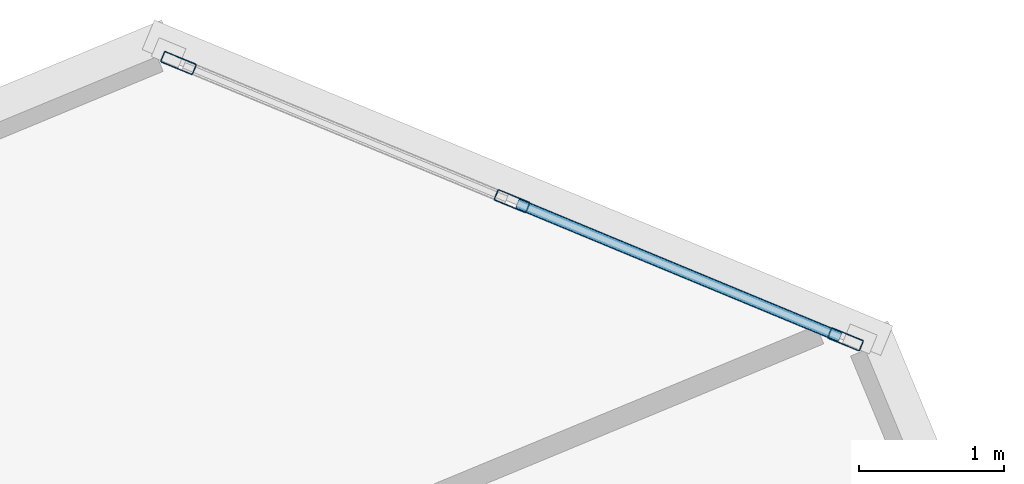
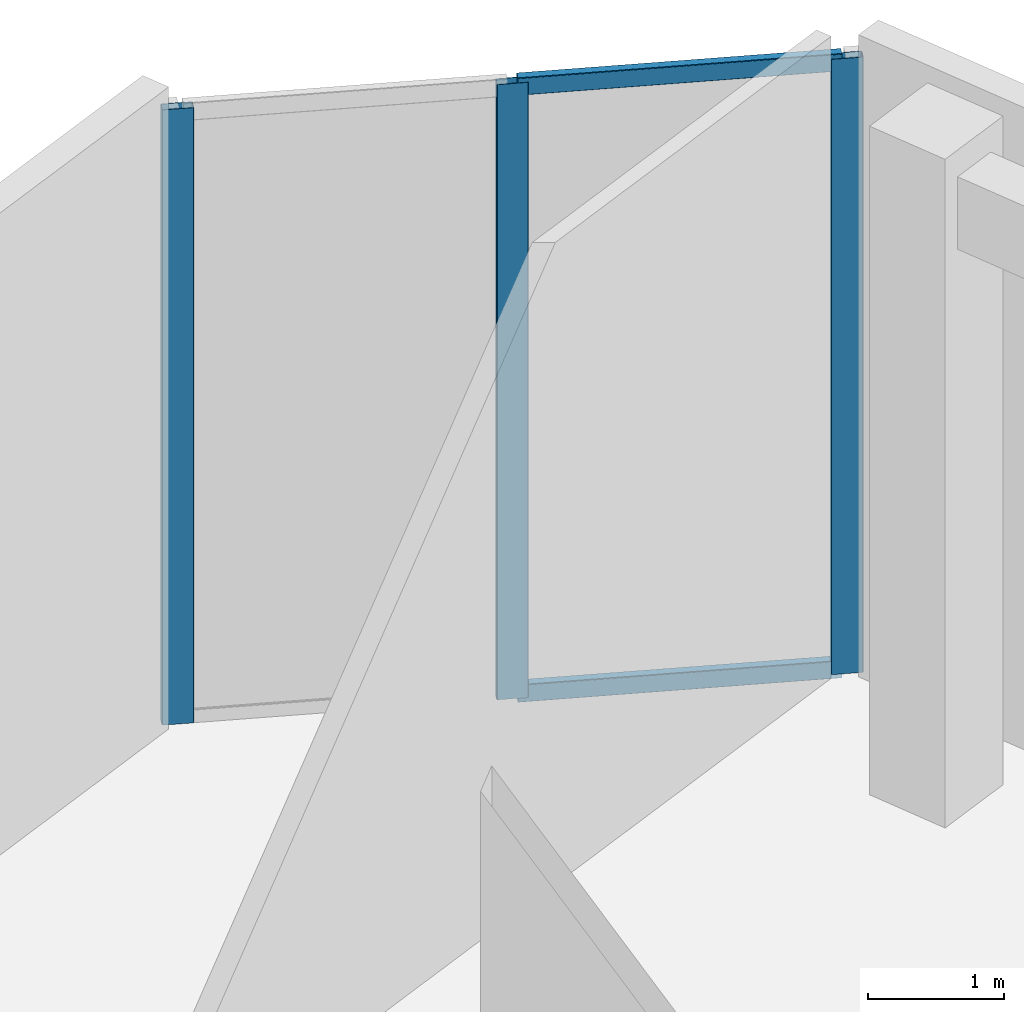
# One storey, part 6 of 16: 5 members, 1 element without a shape of its own.
"""IFC4 building model written with IfcOpenShell, lengths in metres."""

import ifcopenshell
import ifcopenshell.guid

model = None  # the IFC model being written
_history = None  # IfcOwnerHistory: only IFC2X3 demands one
_inside = {}  # id of a spatial element -> (the spatial element, [elements in it])
_under = {}  # id of a project, library or spatial element -> (it, [spatial elements below it])
_declared = {}  # id of a project -> (the project, [libraries it declares])
_typed = {}  # id of a type object -> (the type object, [elements of that type])
_made_of = {}  # id of a material, layer set ... -> (it, [elements and type objects made of it])


def new_model(schema):
    """Start an empty IFC model of exactly this schema.

    Asked for "IFC4X3", IfcOpenShell would pick the latest addendum, in which some entities
    have other attributes; the version numbers below select the first issue.
    IFC2X3 requires an IfcOwnerHistory on every rooted entity: one is made here for all.
    """
    global model, _history
    if schema == "IFC4X3":
        model = ifcopenshell.file(schema_version=(4, 3, 0, 0))
    else:
        model = ifcopenshell.file(schema=schema)
    _inside.clear()
    _under.clear()
    _declared.clear()
    _typed.clear()
    _made_of.clear()
    _history = None
    if model.schema == "IFC2X3":
        org = make("IfcOrganization", Name="unknown")
        user = make(
            "IfcPersonAndOrganization",
            ThePerson=make("IfcPerson", FamilyName="unknown"),
            TheOrganization=org,
        )
        app = make(
            "IfcApplication",
            ApplicationDeveloper=org,
            Version="unknown",
            ApplicationFullName="unknown",
            ApplicationIdentifier="unknown",
        )
        _history = make(
            "IfcOwnerHistory",
            OwningUser=user,
            OwningApplication=app,
            ChangeAction="ADDED",
            CreationDate=0,
        )
    return model


def make(cls, **values):
    """One entity of the class cls with the attributes given. An attribute that is None is left unset."""
    return model.create_entity(
        cls, **{name: value for name, value in values.items() if value is not None}
    )


def rooted(cls, **values):
    """An entity with a GlobalId (a new one), such as an element, a storey or a relation."""
    return make(cls, GlobalId=ifcopenshell.guid.new(), OwnerHistory=_history, **values)


def si_unit(unit_type, name, prefix=None):
    """IfcSIUnit, for example si_unit("LENGTHUNIT", "METRE", prefix="MILLI")."""
    return make("IfcSIUnit", UnitType=unit_type, Prefix=prefix, Name=name)


def assignment(units):
    """IfcUnitAssignment: the units of a project."""
    return None if units is None else make("IfcUnitAssignment", Units=units)


def point(xyz):
    """IfcCartesianPoint."""
    return None if xyz is None else make("IfcCartesianPoint", Coordinates=xyz)


def direction(xyz):
    """IfcDirection."""
    return None if xyz is None else make("IfcDirection", DirectionRatios=xyz)


def frame(location, z_axis=None, x_axis=None):
    """IfcAxis2Placement3D, a coordinate frame: its origin and axes. An axis left out is left unset."""
    return make(
        "IfcAxis2Placement3D",
        Location=point(location),
        Axis=direction(z_axis),
        RefDirection=direction(x_axis),
    )


def frame_2d(location, x_axis=None):
    """IfcAxis2Placement2D, a coordinate frame in the plane: its origin and x axis."""
    return make(
        "IfcAxis2Placement2D", Location=point(location), RefDirection=direction(x_axis)
    )


def origin():
    """The frame at (0, 0, 0) with its axes left unset."""
    return frame((0.0, 0.0, 0.0))


def origin_2d():
    """The frame at (0, 0) in the plane with its x axis left unset."""
    return frame_2d((0.0, 0.0))


def place(relative_to, where):
    """IfcLocalPlacement: puts the frame where relative to a parent placement (None: the world)."""
    return make(
        "IfcLocalPlacement", PlacementRelTo=relative_to, RelativePlacement=where
    )


def context(
    kind, dimensions, precision=None, world=None, true_north=None, identifier=None
):
    """IfcGeometricRepresentationContext, for example the 3D "Model" context."""
    return make(
        "IfcGeometricRepresentationContext",
        ContextIdentifier=identifier,
        ContextType=kind,
        CoordinateSpaceDimension=dimensions,
        Precision=precision,
        WorldCoordinateSystem=world,
        TrueNorth=true_north,
    )


def subcontext(parent, identifier, kind, view, scale=None):
    """IfcGeometricRepresentationSubContext, for example "Body" below "Model"."""
    return make(
        "IfcGeometricRepresentationSubContext",
        ContextIdentifier=identifier,
        ContextType=kind,
        ParentContext=parent,
        TargetScale=scale,
        TargetView=view,
    )


def project(units=None, contexts=None):
    """IfcProject with its units and contexts."""
    return rooted(
        "IfcProject",
        Name="project",
        RepresentationContexts=contexts,
        UnitsInContext=assignment(units),
    )


def spatial(cls, under=None, at=None, **own):
    """A site, building, storey or space (cls), placed at a placement, below another one or the project."""
    s = rooted(cls, ObjectPlacement=at, **own)
    if under is not None:
        _under.setdefault(under.id(), (under, []))[1].append(s)
    return s


def profile(cls, at=None, kind="AREA", **sizes):
    """A parametric profile (cls). Its sizes go by their IFC names, for example OverallWidth=200.0."""
    return make(cls, ProfileType=kind, Position=at, **sizes)


def hollow_rectangle(**sizes):
    """IfcRectangleHollowProfileDef."""
    return profile("IfcRectangleHollowProfileDef", **sizes)


def extrude(swept, where, along, depth):
    """IfcExtrudedAreaSolid: the profile swept, set in the frame where, extruded along a direction by depth."""
    return make(
        "IfcExtrudedAreaSolid",
        SweptArea=swept,
        Position=where,
        ExtrudedDirection=direction(along),
        Depth=depth,
    )


def shape(context_of_items, identifier, shape_type, items):
    """IfcShapeRepresentation: the items that make up one representation, for example the "Body"."""
    return make(
        "IfcShapeRepresentation",
        ContextOfItems=context_of_items,
        RepresentationIdentifier=identifier,
        RepresentationType=shape_type,
        Items=items,
    )


def source(mapping_origin, context_of_items, identifier, shape_type, items):
    """IfcRepresentationMap: a shape defined once, which mapped items show again and again."""
    return make(
        "IfcRepresentationMap",
        MappingOrigin=mapping_origin,
        MappedRepresentation=shape(context_of_items, identifier, shape_type, items),
    )


def transform(
    local_origin,
    x_axis=None,
    y_axis=None,
    z_axis=None,
    scale=None,
    scale2=None,
    scale3=None,
    uniform=True,
):
    """IfcCartesianTransformationOperator3D, or its non-uniform kind. x_axis, y_axis, z_axis: its Axis1, 2, 3."""
    if uniform:
        return make(
            "IfcCartesianTransformationOperator3D",
            Axis1=direction(x_axis),
            Axis2=direction(y_axis),
            LocalOrigin=point(local_origin),
            Scale=scale,
            Axis3=direction(z_axis),
        )
    return make(
        "IfcCartesianTransformationOperator3DnonUniform",
        Axis1=direction(x_axis),
        Axis2=direction(y_axis),
        LocalOrigin=point(local_origin),
        Scale=scale,
        Axis3=direction(z_axis),
        Scale2=scale2,
        Scale3=scale3,
    )


def mapped(mapping_source, mapping_target):
    """IfcMappedItem: shows the shape of a source again, moved by a transform."""
    return make(
        "IfcMappedItem", MappingSource=mapping_source, MappingTarget=mapping_target
    )


def material(Name=None, Category=None):
    """IfcMaterial."""
    return make("IfcMaterial", Name=Name, Category=Category)


def material_profile(
    of_material, cross_section, Name=None, Category=None, Priority=None
):
    """IfcMaterialProfile: a cross section and its material."""
    return make(
        "IfcMaterialProfile",
        Name=Name,
        Material=of_material,
        Profile=cross_section,
        Priority=Priority,
        Category=Category,
    )


def profile_set(profiles, Name=None, composite=None):
    """IfcMaterialProfileSet."""
    return make(
        "IfcMaterialProfileSet",
        Name=Name,
        MaterialProfiles=profiles,
        CompositeProfile=composite,
    )


def made_of(thing, what):
    """Note that an element or type object is made of a material, layer set ...; save() writes the relation."""
    if what is not None:
        _made_of.setdefault(what.id(), (what, []))[1].append(thing)
    return thing


def type_object(cls, material=None, **own):
    """A type object (cls), such as IfcWallType, which elements share."""
    return made_of(rooted(cls, **own), material)


def element(
    cls,
    number,
    at=None,
    inside=None,
    cuts=None,
    type_object=None,
    material=None,
    context=None,
    identifier="Body",
    shape_type=None,
    held_by="IfcProductDefinitionShape",
    body=None,
    shapes=None,
    **own,
):
    """One element of the class cls, such as IfcWall. Its Tag is "e" and its number.

    at: its placement. inside: the storey or other place that contains it. cuts: it is an
    opening in that element (IfcRelVoidsElement). A single representation is given by context,
    identifier, shape_type and body (its items); several are given by shapes. held_by: the class
    of the entity that holds the representations. save() writes the other relations.
    """
    e = rooted(cls, Tag="e%d" % number, ObjectPlacement=at, **own)
    if body is not None:
        shapes = [shape(context, identifier, shape_type, body)]
    if shapes is not None:
        e.Representation = make(held_by, Representations=shapes)
    if inside is not None:
        _inside.setdefault(inside.id(), (inside, []))[1].append(e)
    if cuts is not None:
        rooted(
            "IfcRelVoidsElement", RelatingBuildingElement=cuts, RelatedOpeningElement=e
        )
    if type_object is not None:
        _typed.setdefault(type_object.id(), (type_object, []))[1].append(e)
    return made_of(e, material)


def aggregate(whole, parts):
    """IfcRelAggregates: a whole, such as a stair, and the parts it consists of."""
    return rooted("IfcRelAggregates", RelatingObject=whole, RelatedObjects=parts)


def save(model, path):
    """Write the relations noted so far, then the file.

    IfcRelAggregates (storeys below a building ...), IfcRelContainedInSpatialStructure (elements
    in a storey), IfcRelDefinesByType, IfcRelAssociatesMaterial and IfcRelDeclares: one each for
    every whole, place, type object, material and project.
    """
    for whole, parts in _under.values():
        aggregate(whole, parts)
    for where, things in _inside.values():
        rooted(
            "IfcRelContainedInSpatialStructure",
            RelatedElements=things,
            RelatingStructure=where,
        )
    for kind, things in _typed.values():
        rooted("IfcRelDefinesByType", RelatedObjects=things, RelatingType=kind)
    for what, things in _made_of.values():
        rooted("IfcRelAssociatesMaterial", RelatedObjects=things, RelatingMaterial=what)
    for by, libraries in _declared.values():
        rooted("IfcRelDeclares", RelatingContext=by, RelatedDefinitions=libraries)
    model.write(path)


model = new_model("IFC4")

# Units and contexts
model_context = context("Model", 3, precision=1e-05, world=origin(), true_north=direction((0.0, 1.0)))
body_context = subcontext(model_context, "Body", "Model", "MODEL_VIEW")
ifc_project = project(units=[si_unit("LENGTHUNIT", "METRE"), si_unit("AREAUNIT", "SQUARE_METRE"), si_unit("VOLUMEUNIT", "CUBIC_METRE"), si_unit("PLANEANGLEUNIT", "RADIAN"), si_unit("MASSUNIT", "GRAM", prefix="KILO")], contexts=[model_context])

# Site, building, storey
site_placement = place(None, origin())
site = spatial("IfcSite", under=ifc_project, at=site_placement, CompositionType="ELEMENT")
building_placement = place(site_placement, origin())
building = spatial("IfcBuilding", under=site, at=building_placement, Name="Torre Montelarca", CompositionType="ELEMENT")
storey_placement = place(building_placement, frame((0.0, 0.0, 349.199951171875)))
storey = spatial("IfcBuildingStorey", under=building, at=storey_placement, Name="L79", CompositionType="ELEMENT", Elevation=349.199951171875)

# Curtain wall, members
ifc_material_1 = material(Name="Amber translucent laminated glass", Category="glass")
curtain_wall_type = type_object("IfcCurtainWallType", Name="CW-SYS-LANT", PredefinedType="USERDEFINED", material=ifc_material_1)
curtain_wall_placement = place(storey_placement, origin())
curtain_wall = element("IfcCurtainWall", 1, at=curtain_wall_placement, inside=storey, type_object=curtain_wall_type, Name="L79 Curtain Wall Run CW-T3-L79-E09-B1", ObjectType="TRANSLUCENT LANTERN", PredefinedType="USERDEFINED")
ifc_material_2 = material(Name="Anodised aluminium AA 6063-T6", Category="aluminium")
ifc_material_profile_1 = material_profile(ifc_material_2, hollow_rectangle(XDim=0.080078125, YDim=0.239990234375, WallThickness=0.0048828125, InnerFilletRadius=0.0048828125, OuterFilletRadius=0.010009765625, at=origin_2d()), Name="ALU80X240X5", Category="aluminium")
ifc_profile_set_1 = profile_set([ifc_material_profile_1], Name="Anodised aluminium AA 6063-T6")
member_type_1 = type_object("IfcMemberType", Name="CWM-ALU240", PredefinedType="MULLION", material=ifc_profile_set_1)
shared_shape_1 = source(origin(), body_context, "Body", "SweptSolid", [
    extrude(hollow_rectangle(XDim=0.080078125, YDim=0.239990234375, WallThickness=0.0048828125, InnerFilletRadius=0.0048828125, OuterFilletRadius=0.010009765625, at=origin_2d()), origin(), (0.0, 0.0, 1.0), 5.52001953125),
])
member_1_placement = place(storey_placement, frame((30.907470703125, 51.0, 0.0), z_axis=(0.0, 0.0, 1.0), x_axis=(-0.382671166306, -0.923884613184, 0.0)))
member_1 = element("IfcMember", 2, at=member_1_placement, type_object=member_type_1, Name="CW mullion 1", PredefinedType="MULLION", context=body_context, shape_type="MappedRepresentation", body=[
    mapped(shared_shape_1, transform((0.0, 0.0, 0.0), scale=1.0)),
])
member_2_placement = place(storey_placement, frame((28.615234375, 51.949462890625, 0.0), z_axis=(0.0, 0.0, 1.0), x_axis=(-0.382671166306, -0.923884613184, 0.0)))
member_2 = element("IfcMember", 3, at=member_2_placement, type_object=member_type_1, Name="CW mullion 2", PredefinedType="MULLION", context=body_context, shape_type="MappedRepresentation", body=[
    mapped(shared_shape_1, transform((0.0, 0.0, 0.0), scale=1.0)),
])
member_3_placement = place(storey_placement, frame((26.322998046875, 52.89892578125, 0.0), z_axis=(0.0, 0.0, 1.0), x_axis=(-0.382671166306, -0.923884613184, 0.0)))
member_3 = element("IfcMember", 4, at=member_3_placement, type_object=member_type_1, Name="CW mullion 3", PredefinedType="MULLION", context=body_context, shape_type="MappedRepresentation", body=[
    mapped(shared_shape_1, transform((0.0, 0.0, 0.0), scale=1.0)),
])
ifc_material_profile_2 = material_profile(ifc_material_2, hollow_rectangle(XDim=0.074951171875, YDim=0.159912109375, WallThickness=0.0048828125, InnerFilletRadius=0.0048828125, OuterFilletRadius=0.010009765625, at=origin_2d()), Name="ALU75X160X5", Category="aluminium")
ifc_profile_set_2 = profile_set([ifc_material_profile_2], Name="Anodised aluminium AA 6063-T6")
member_type_2 = type_object("IfcMemberType", Name="CWT-ALU160", PredefinedType="USERDEFINED", material=ifc_profile_set_2)
shared_shape_2 = source(origin(), body_context, "Body", "SweptSolid", [
    extrude(hollow_rectangle(XDim=0.074951171875, YDim=0.159912109375, WallThickness=0.0048828125, InnerFilletRadius=0.0048828125, OuterFilletRadius=0.010009765625, at=origin_2d()), origin(), (0.0, 0.0, 1.0), 2.401123046875),
])
member_4_placement = place(storey_placement, frame((30.87060546875, 51.015380859375, 0.03759765625), z_axis=(-0.92386315418, 0.382722970761, 0.0), x_axis=(-0.382722970761, -0.92386315418, 0.0)))
member_4 = element("IfcMember", 5, at=member_4_placement, type_object=member_type_2, Name="CW transom 1.1", ObjectType="TRANSOM", PredefinedType="USERDEFINED", context=body_context, shape_type="MappedRepresentation", body=[
    mapped(shared_shape_2, transform((0.0, 0.0, 0.0), scale=1.0)),
])
member_5_placement = place(storey_placement, frame((30.87060546875, 51.015380859375, 5.482666015625), z_axis=(-0.92386315418, 0.382722970761, 0.0), x_axis=(-0.382722970761, -0.92386315418, 0.0)))
member_5 = element("IfcMember", 6, at=member_5_placement, type_object=member_type_2, Name="CW transom 1.2", ObjectType="TRANSOM", PredefinedType="USERDEFINED", context=body_context, shape_type="MappedRepresentation", body=[
    mapped(shared_shape_2, transform((0.0, 0.0, 0.0), scale=1.0)),
])
aggregate(curtain_wall, [member_1, member_2, member_3, member_4, member_5])

save(model, "model.ifc")
